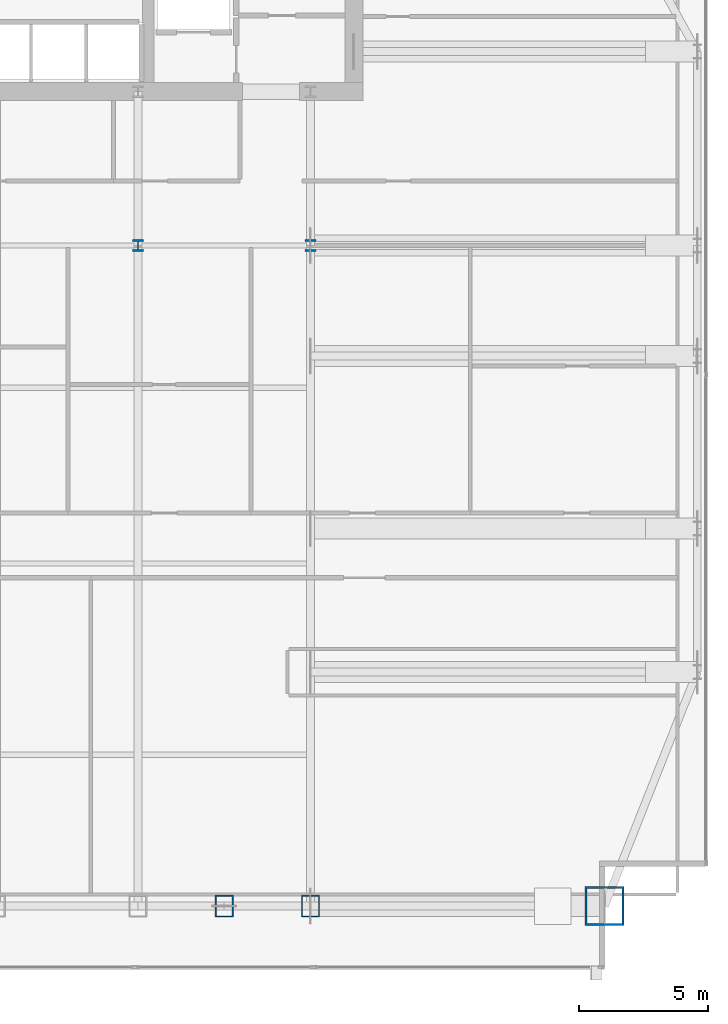
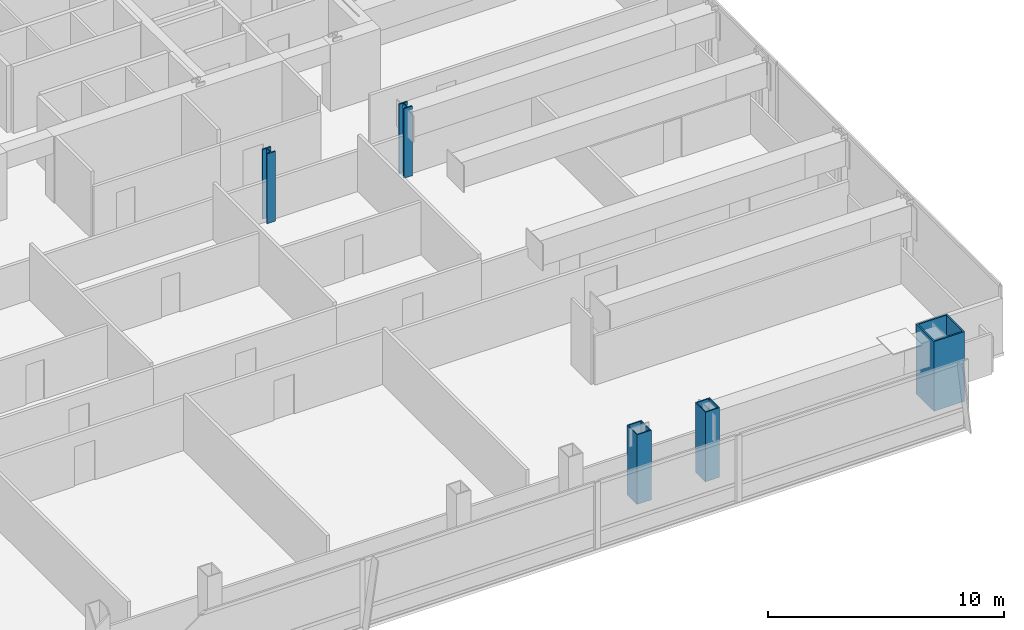
# One storey, part 2 of 30: 5 columns.
"""IFC4 building model written with IfcOpenShell, lengths in metres."""

from ifc_helpers import new_model, si_unit, direction, frame, origin, origin_2d, place, context, subcontext, project, spatial, hollow_rectangle, i_section, extrude, material, material_profile, profile_set, type_object, element, save


model = new_model("IFC4")

# Units and contexts
model_context = context("Model", 3, precision=1e-05, world=origin(), true_north=direction((0.0, 1.0)))
body_context = subcontext(model_context, "Body", "Model", "MODEL_VIEW")
ifc_project = project(units=[si_unit("LENGTHUNIT", "METRE"), si_unit("AREAUNIT", "SQUARE_METRE"), si_unit("VOLUMEUNIT", "CUBIC_METRE"), si_unit("PLANEANGLEUNIT", "RADIAN"), si_unit("MASSUNIT", "GRAM", prefix="KILO")], contexts=[model_context])

# Site, building, storey
site_placement = place(None, origin())
site = spatial("IfcSite", under=ifc_project, at=site_placement, CompositionType="ELEMENT")
building_placement = place(site_placement, origin())
building = spatial("IfcBuilding", under=site, at=building_placement, Name="Khoronbel Lancet Exchange", CompositionType="ELEMENT")
storey_placement = place(building_placement, frame((0.0, 0.0, 132.60009765625)))
storey = spatial("IfcBuildingStorey", under=building, at=storey_placement, Name="L32", CompositionType="ELEMENT", Elevation=132.60009765625)

# Columns
ifc_material = material(Name="Steel S460", Category="steel")
ifc_material_profile_1 = material_profile(ifc_material, hollow_rectangle(XDim=0.699951171875, YDim=0.85009765625, WallThickness=0.050048828125, at=origin_2d()), Name="BOX 850x700x50")
ifc_profile_set_1 = profile_set([ifc_material_profile_1], Name="Steel S460")
column_type_1 = type_object("IfcColumnType", Name="COL-EC2", PredefinedType="COLUMN", material=ifc_profile_set_1)
for number, where, z_axis, x_axis, name in (
    (1, (51.33740234375, 10.14990234375, 0.0), (0.0, 0.0, 1.0), (1.0, 0.0, 0.0), "Structural column SC-EM L32"),
    (2, (54.675048828125, 10.14990234375, 0.0), (0.0, 0.0, 1.0), (1.0, 0.0, 0.0), "Structural column SC-E2 L32"),
):
    element("IfcColumn", number, at=place(storey_placement, frame(where, z_axis=z_axis, x_axis=x_axis)), inside=storey, type_object=column_type_1, Name=name, PredefinedType="COLUMN", context=body_context, shape_type="SweptSolid", body=[
        extrude(hollow_rectangle(XDim=0.699951171875, YDim=0.85009765625, WallThickness=0.050048828125, at=origin_2d()), origin(), (0.0, 0.0, 1.0), 3.599853515625),
    ])
ifc_material_profile_2 = material_profile(ifc_material, i_section(OverallWidth=0.416015625, OverallDepth=0.446044921875, WebThickness=0.0390625, FlangeThickness=0.062744140625, at=origin_2d()), Name="HD 400x509")
ifc_profile_set_2 = profile_set([ifc_material_profile_2], Name="Steel S460")
column_type_2 = type_object("IfcColumnType", Name="COL-IC2", PredefinedType="COLUMN", material=ifc_profile_set_2)
for number, where, z_axis, x_axis, name in (
    (3, (48.0, 35.699951171875, 0.0), (0.0, 0.0, 1.0), (1.0, 0.0, 0.0), "Spine gravity column TC3 L32"),
    (4, (54.675048828125, 35.699951171875, 0.0), (0.0, 0.0, 1.0), (1.0, 0.0, 0.0), "Spine gravity column TC4 L32"),
):
    element("IfcColumn", number, at=place(storey_placement, frame(where, z_axis=z_axis, x_axis=x_axis)), inside=storey, type_object=column_type_2, Name=name, PredefinedType="COLUMN", context=body_context, shape_type="SweptSolid", body=[
        extrude(i_section(OverallWidth=0.416015625, OverallDepth=0.446044921875, WebThickness=0.0390625, FlangeThickness=0.062744140625, at=origin_2d()), origin(), (0.0, 0.0, 1.0), 3.599853515625),
    ])
ifc_material_profile_3 = material_profile(ifc_material, hollow_rectangle(XDim=1.5, YDim=1.5, WallThickness=0.070068359375, at=origin_2d()), Name="BOX 1500x1500x70")
ifc_profile_set_3 = profile_set([ifc_material_profile_3], Name="Steel S460")
column_type_3 = type_object("IfcColumnType", Name="COL-MC3", PredefinedType="COLUMN", material=ifc_profile_set_3)
column_placement = place(storey_placement, frame((66.050048828125, 10.14990234375, 0.0), z_axis=(0.0, 0.0, 1.0), x_axis=(1.0, 0.0, 0.0)))
element("IfcColumn", 5, at=column_placement, inside=storey, type_object=column_type_3, Name="Structural column MC-SE L32", PredefinedType="COLUMN", context=body_context, shape_type="SweptSolid", body=[
    extrude(hollow_rectangle(XDim=1.5, YDim=1.5, WallThickness=0.070068359375, at=origin_2d()), origin(), (0.0, 0.0, 1.0), 3.599853515625),
])

save(model, "model.ifc")
